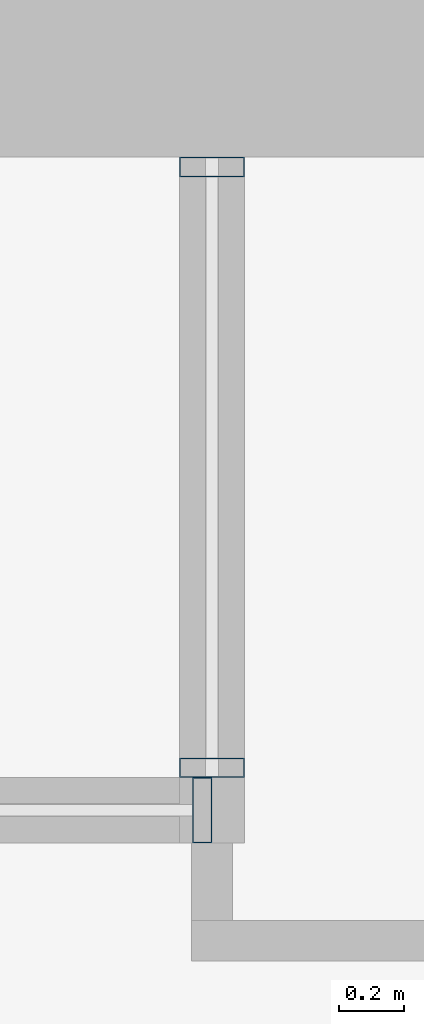
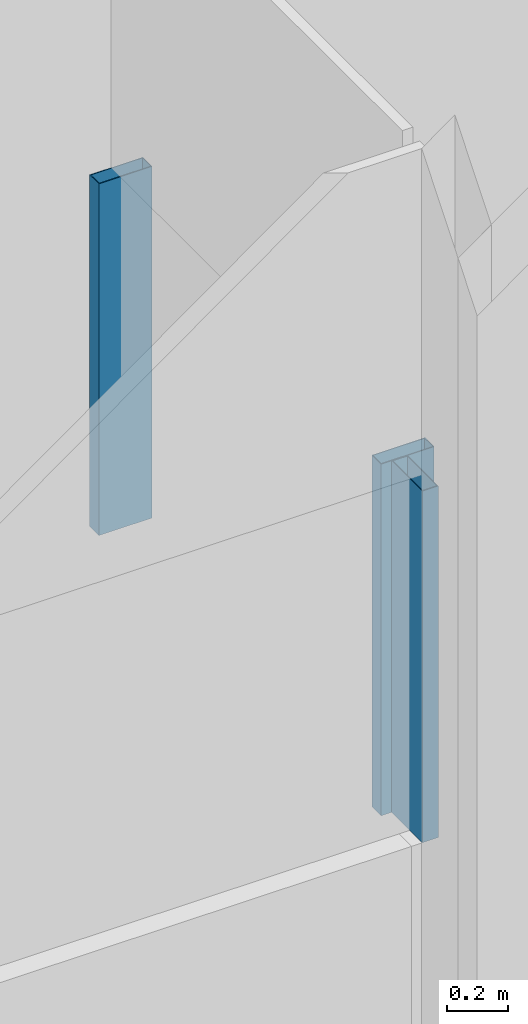
# One storey, part 7 of 34: 3 members, 2 elements without a shape of their own.
"""IFC4 building model written with IfcOpenShell, lengths in metres."""

from ifc_helpers import new_model, si_unit, direction, frame, origin, origin_2d, place, context, subcontext, project, spatial, hollow_rectangle, extrude, material, material_profile, profile_set, type_object, element, aggregate, save


model = new_model("IFC4")

# Units and contexts
model_context = context("Model", 3, precision=1e-05, world=origin(), true_north=direction((0.0, 1.0)))
body_context = subcontext(model_context, "Body", "Model", "MODEL_VIEW")
ifc_project = project(units=[si_unit("LENGTHUNIT", "METRE"), si_unit("AREAUNIT", "SQUARE_METRE"), si_unit("VOLUMEUNIT", "CUBIC_METRE"), si_unit("PLANEANGLEUNIT", "RADIAN"), si_unit("MASSUNIT", "GRAM", prefix="KILO")], contexts=[model_context])

# Site, building, storey
site_placement = place(None, origin())
site = spatial("IfcSite", under=ifc_project, at=site_placement, CompositionType="ELEMENT")
building_placement = place(site_placement, origin())
building = spatial("IfcBuilding", under=site, at=building_placement, Name="Altepetl Exchange Towers", CompositionType="ELEMENT")
storey_placement = place(building_placement, frame((0.0, 0.0, 190.60009765625)))
storey = spatial("IfcBuildingStorey", under=building, at=storey_placement, Name="L48 Refuge", CompositionType="ELEMENT", Elevation=190.60009765625)

# Curtain wall, members
ifc_material_1 = material(Name="Aluminium 6063-T6 glazing", Category="aluminium")
curtain_wall_type = type_object("IfcCurtainWallType", Name="Refuge slit glazing system", PredefinedType="NOTDEFINED", material=ifc_material_1)
curtain_wall_1_placement = place(storey_placement, origin())
curtain_wall_1 = element("IfcCurtainWall", 1, at=curtain_wall_1_placement, inside=storey, type_object=curtain_wall_type, Name="CW3 run", PredefinedType="NOTDEFINED")
ifc_material_2 = material(Name="Aluminium 6063-T6", Category="aluminium")
ifc_material_profile = material_profile(ifc_material_2, hollow_rectangle(XDim=0.06005859375, YDim=0.199951171875, WallThickness=0.0029296875, at=origin_2d()), Name="Mullion 60x200 aluminium")
ifc_profile_set = profile_set([ifc_material_profile], Name="Aluminium 6063-T6")
member_type = type_object("IfcMemberType", Name="Mullion 60x200 aluminium", PredefinedType="MULLION", material=ifc_profile_set)
member_1_placement = place(storey_placement, frame((42.5, 40.469970703125, 1.7998046875), z_axis=(0.0, 0.0, 1.0), x_axis=(0.0, -1.0, 0.0)))
member_1 = element("IfcMember", 2, at=member_1_placement, type_object=member_type, Name="MU2 mullion", PredefinedType="MULLION", context=body_context, shape_type="SweptSolid", body=[
    extrude(hollow_rectangle(XDim=0.06005859375, YDim=0.199951171875, WallThickness=0.0029296875, at=origin_2d()), origin(), (0.0, 0.0, 1.0), 1.400146484375),
])
member_2_placement = place(storey_placement, frame((42.5, 38.6298828125, 1.7998046875), z_axis=(0.0, 0.0, 1.0), x_axis=(0.0, -1.0, 0.0)))
member_2 = element("IfcMember", 3, at=member_2_placement, type_object=member_type, Name="MU2 mullion", PredefinedType="MULLION", context=body_context, shape_type="SweptSolid", body=[
    extrude(hollow_rectangle(XDim=0.06005859375, YDim=0.199951171875, WallThickness=0.0029296875, at=origin_2d()), origin(), (0.0, 0.0, 1.0), 1.400146484375),
])
aggregate(curtain_wall_1, [member_1, member_2])

# Curtain wall, member
curtain_wall_2_placement = place(storey_placement, origin())
curtain_wall_2 = element("IfcCurtainWall", 4, at=curtain_wall_2_placement, inside=storey, type_object=curtain_wall_type, Name="CW3 run", PredefinedType="NOTDEFINED")
member_3_placement = place(storey_placement, frame((42.469970703125, 38.5, 1.7998046875), z_axis=(0.0, 0.0, 1.0), x_axis=(-1.0, 0.0, 0.0)))
member_3 = element("IfcMember", 5, at=member_3_placement, type_object=member_type, Name="MU2 mullion", PredefinedType="MULLION", context=body_context, shape_type="SweptSolid", body=[
    extrude(hollow_rectangle(XDim=0.06005859375, YDim=0.199951171875, WallThickness=0.0029296875, at=origin_2d()), origin(), (0.0, 0.0, 1.0), 1.400146484375),
])
aggregate(curtain_wall_2, [member_3])

save(model, "model.ifc")
